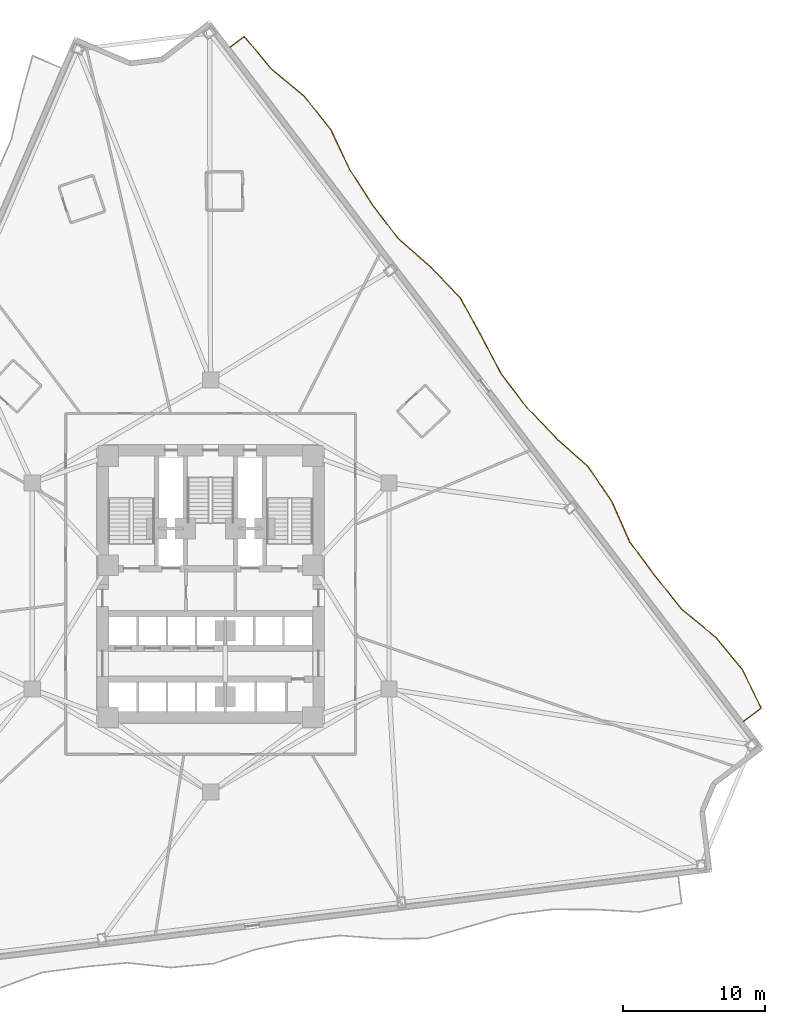
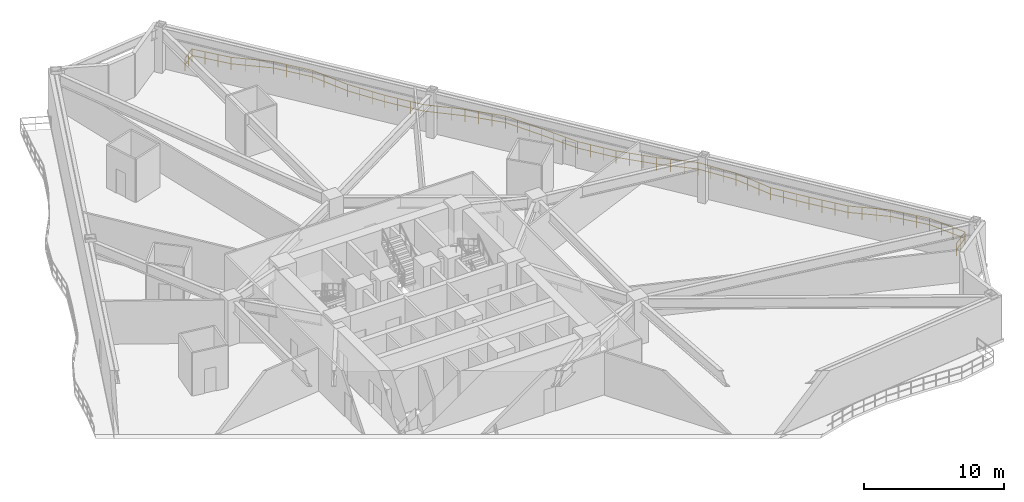
# One storey, part 12 of 12: 1 railing.
"""IFC4 building model written with IfcOpenShell, lengths in metres."""

from ifc_helpers import new_model, si_unit, direction, frame, origin, origin_2d, place, context, subcontext, project, spatial, rectangle, extrude, material, type_object, element, save


model = new_model("IFC4")

# Units and contexts
model_context = context("Model", 3, precision=1e-05, world=origin(), true_north=direction((0.0, 1.0)))
body_context = subcontext(model_context, "Body", "Model", "MODEL_VIEW")
ifc_project = project(units=[si_unit("LENGTHUNIT", "METRE"), si_unit("AREAUNIT", "SQUARE_METRE"), si_unit("VOLUMEUNIT", "CUBIC_METRE"), si_unit("PLANEANGLEUNIT", "RADIAN"), si_unit("MASSUNIT", "GRAM", prefix="KILO")], contexts=[model_context])

# Site, building, storey
site_placement = place(None, origin())
site = spatial("IfcSite", under=ifc_project, at=site_placement, CompositionType="ELEMENT")
building_placement = place(site_placement, origin())
building = spatial("IfcBuilding", under=site, at=building_placement, Name="Apsidion Concourse Tower", CompositionType="ELEMENT")
storey_placement = place(building_placement, frame((0.0, 0.0, 83.0)))
storey = spatial("IfcBuildingStorey", under=building, at=storey_placement, Name="L18", CompositionType="ELEMENT", Elevation=83.0)

# Railing
ifc_material = material(Name="Brushed stainless steel 316", Category="steel")
railing_type = type_object("IfcRailingType", Name="RL-BAL-1120", PredefinedType="BALUSTRADE", material=ifc_material)
railing_placement = place(storey_placement, frame((1.376708984375, 37.926513671875, 0.0)))
element("IfcRailing", 1, at=railing_placement, inside=storey, type_object=railing_type, Name="L18 Face 3 Rippling Balcony Balustrade", PredefinedType="BALUSTRADE", context=body_context, shape_type="SweptSolid", body=[
    extrude(rectangle(XDim=0.048095703125, YDim=0.048095703125, at=origin_2d()), frame((0.0, 0.0, 1.09619140625), z_axis=(0.795714098077, 0.605672414859, 0.0), x_axis=(-0.605672414859, 0.795714098077, 0.0)), (0.0, 0.0, 1.0), 1.25),
    extrude(rectangle(XDim=0.048095703125, YDim=0.048095703125, at=origin_2d()), frame((0.0, 0.0, 0.5361328125), z_axis=(0.795714098077, 0.605672414859, 0.0), x_axis=(-0.605672414859, 0.795714098077, 0.0)), (0.0, 0.0, 1.0), 1.25),
    extrude(rectangle(XDim=0.048095703125, YDim=0.048095703125, at=origin_2d()), frame((0.99462890625, 0.757080078125, 1.09619140625), z_axis=(0.639814323163, -0.768529525702, 0.0), x_axis=(0.768529525702, 0.639814323163, 0.0)), (0.0, 0.0, 1.0), 2.985595703125),
    extrude(rectangle(XDim=0.048095703125, YDim=0.048095703125, at=origin_2d()), frame((0.99462890625, 0.757080078125, 0.5361328125), z_axis=(0.639814323163, -0.768529525702, 0.0), x_axis=(0.768529525702, 0.639814323163, 0.0)), (0.0, 0.0, 1.0), 2.985595703125),
    extrude(rectangle(XDim=0.048095703125, YDim=0.048095703125, at=origin_2d()), frame((2.90478515625, -1.537353515625, 1.09619140625), z_axis=(0.767972723261, -0.640482549588, 0.0), x_axis=(0.640482549588, 0.767972723261, 0.0)), (0.0, 0.0, 1.0), 3.06005859375),
    extrude(rectangle(XDim=0.048095703125, YDim=0.048095703125, at=origin_2d()), frame((2.90478515625, -1.537353515625, 0.5361328125), z_axis=(0.767972723261, -0.640482549588, 0.0), x_axis=(0.640482549588, 0.767972723261, 0.0)), (0.0, 0.0, 1.0), 3.06005859375),
    extrude(rectangle(XDim=0.048095703125, YDim=0.048095703125, at=origin_2d()), frame((5.2548828125, -3.497314453125, 1.09619140625), z_axis=(0.62088528867, -0.783901434055, 0.0), x_axis=(0.783901434055, 0.62088528867, 0.0)), (0.0, 0.0, 1.0), 2.9833984375),
    extrude(rectangle(XDim=0.048095703125, YDim=0.048095703125, at=origin_2d()), frame((5.2548828125, -3.497314453125, 0.5361328125), z_axis=(0.62088528867, -0.783901434055, 0.0), x_axis=(0.783901434055, 0.62088528867, 0.0)), (0.0, 0.0, 1.0), 2.9833984375),
    extrude(rectangle(XDim=0.048095703125, YDim=0.048095703125, at=origin_2d()), frame((7.107177734375, -5.8359375, 1.09619140625), z_axis=(0.426089935374, -0.904680809442, 0.0), x_axis=(0.904680809442, 0.426089935374, 0.0)), (0.0, 0.0, 1.0), 3.050537109375),
    extrude(rectangle(XDim=0.048095703125, YDim=0.048095703125, at=origin_2d()), frame((7.107177734375, -5.8359375, 0.5361328125), z_axis=(0.426089935374, -0.904680809442, 0.0), x_axis=(0.904680809442, 0.426089935374, 0.0)), (0.0, 0.0, 1.0), 3.050537109375),
    extrude(rectangle(XDim=0.048095703125, YDim=0.048095703125, at=origin_2d()), frame((8.406982421875, -8.595703125, 1.09619140625), z_axis=(0.542855320236, -0.839826232795, 0.0), x_axis=(0.839826232795, 0.542855320236, 0.0)), (0.0, 0.0, 1.0), 2.99169921875),
    extrude(rectangle(XDim=0.048095703125, YDim=0.048095703125, at=origin_2d()), frame((8.406982421875, -8.595703125, 0.5361328125), z_axis=(0.542855320236, -0.839826232795, 0.0), x_axis=(0.839826232795, 0.542855320236, 0.0)), (0.0, 0.0, 1.0), 2.99169921875),
    extrude(rectangle(XDim=0.048095703125, YDim=0.048095703125, at=origin_2d()), frame((10.031005859375, -11.108154296875, 1.09619140625), z_axis=(0.605902647508, -0.795538799646, 0.0), x_axis=(0.795538799646, 0.605902647508, 0.0)), (0.0, 0.0, 1.0), 2.98291015625),
    extrude(rectangle(XDim=0.048095703125, YDim=0.048095703125, at=origin_2d()), frame((10.031005859375, -11.108154296875, 0.5361328125), z_axis=(0.605902647508, -0.795538799646, 0.0), x_axis=(0.795538799646, 0.605902647508, 0.0)), (0.0, 0.0, 1.0), 2.98291015625),
    extrude(rectangle(XDim=0.048095703125, YDim=0.048095703125, at=origin_2d()), frame((11.83837890625, -13.481201171875, 1.09619140625), z_axis=(0.750874261611, -0.660445185651, 0.0), x_axis=(0.660445185651, 0.750874261611, 0.0)), (0.0, 0.0, 1.0), 3.042724609375),
    extrude(rectangle(XDim=0.048095703125, YDim=0.048095703125, at=origin_2d()), frame((11.83837890625, -13.481201171875, 0.5361328125), z_axis=(0.750874261611, -0.660445185651, 0.0), x_axis=(0.660445185651, 0.750874261611, 0.0)), (0.0, 0.0, 1.0), 3.042724609375),
    extrude(rectangle(XDim=0.048095703125, YDim=0.048095703125, at=origin_2d()), frame((14.123046875, -15.49072265625, 1.09619140625), z_axis=(0.693855685944, -0.720114079214, 0.0), x_axis=(0.720114079214, 0.693855685944, 0.0)), (0.0, 0.0, 1.0), 3.003173828125),
    extrude(rectangle(XDim=0.048095703125, YDim=0.048095703125, at=origin_2d()), frame((14.123046875, -15.49072265625, 0.5361328125), z_axis=(0.693855685944, -0.720114079214, 0.0), x_axis=(0.720114079214, 0.693855685944, 0.0)), (0.0, 0.0, 1.0), 3.003173828125),
    extrude(rectangle(XDim=0.048095703125, YDim=0.048095703125, at=origin_2d()), frame((16.206787109375, -17.6533203125, 1.09619140625), z_axis=(0.482161126735, -0.876082557677, 0.0), x_axis=(0.876082557677, 0.482161126735, 0.0)), (0.0, 0.0, 1.0), 3.015869140625),
    extrude(rectangle(XDim=0.048095703125, YDim=0.048095703125, at=origin_2d()), frame((16.206787109375, -17.6533203125, 0.5361328125), z_axis=(0.482161126735, -0.876082557677, 0.0), x_axis=(0.876082557677, 0.482161126735, 0.0)), (0.0, 0.0, 1.0), 3.015869140625),
    extrude(rectangle(XDim=0.048095703125, YDim=0.048095703125, at=origin_2d()), frame((17.660888671875, -20.29541015625, 1.09619140625), z_axis=(0.464944613391, -0.885339768947, 0.0), x_axis=(0.885339768947, 0.464944613391, 0.0)), (0.0, 0.0, 1.0), 3.025146484375),
    extrude(rectangle(XDim=0.048095703125, YDim=0.048095703125, at=origin_2d()), frame((17.660888671875, -20.29541015625, 0.5361328125), z_axis=(0.464944613391, -0.885339768947, 0.0), x_axis=(0.885339768947, 0.464944613391, 0.0)), (0.0, 0.0, 1.0), 3.025146484375),
    extrude(rectangle(XDim=0.048095703125, YDim=0.048095703125, at=origin_2d()), frame((19.0673828125, -22.9736328125, 1.09619140625), z_axis=(0.605902647508, -0.795538799646, 0.0), x_axis=(0.795538799646, 0.605902647508, 0.0)), (0.0, 0.0, 1.0), 2.98291015625),
    extrude(rectangle(XDim=0.048095703125, YDim=0.048095703125, at=origin_2d()), frame((19.0673828125, -22.9736328125, 0.5361328125), z_axis=(0.605902647508, -0.795538799646, 0.0), x_axis=(0.795538799646, 0.605902647508, 0.0)), (0.0, 0.0, 1.0), 2.98291015625),
    extrude(rectangle(XDim=0.048095703125, YDim=0.048095703125, at=origin_2d()), frame((20.874755859375, -25.3466796875, 1.09619140625), z_axis=(0.690860605883, -0.722987982776, 0.0), x_axis=(0.722987982776, 0.690860605883, 0.0)), (0.0, 0.0, 1.0), 3.001708984375),
    extrude(rectangle(XDim=0.048095703125, YDim=0.048095703125, at=origin_2d()), frame((20.874755859375, -25.3466796875, 0.5361328125), z_axis=(0.690860605883, -0.722987982776, 0.0), x_axis=(0.722987982776, 0.690860605883, 0.0)), (0.0, 0.0, 1.0), 3.001708984375),
    extrude(rectangle(XDim=0.048095703125, YDim=0.048095703125, at=origin_2d()), frame((22.948486328125, -27.516845703125, 1.09619140625), z_axis=(0.745842120394, -0.666122760042, 0.0), x_axis=(0.666122760042, 0.745842120394, 0.0)), (0.0, 0.0, 1.0), 3.0380859375),
    extrude(rectangle(XDim=0.048095703125, YDim=0.048095703125, at=origin_2d()), frame((22.948486328125, -27.516845703125, 0.5361328125), z_axis=(0.745842120394, -0.666122760042, 0.0), x_axis=(0.666122760042, 0.745842120394, 0.0)), (0.0, 0.0, 1.0), 3.0380859375),
    extrude(rectangle(XDim=0.048095703125, YDim=0.048095703125, at=origin_2d()), frame((25.21435546875, -29.54052734375, 1.09619140625), z_axis=(0.559367602895, -0.82891970952, 0.0), x_axis=(0.82891970952, 0.559367602895, 0.0)), (0.0, 0.0, 1.0), 2.988037109375),
    extrude(rectangle(XDim=0.048095703125, YDim=0.048095703125, at=origin_2d()), frame((25.21435546875, -29.54052734375, 0.5361328125), z_axis=(0.559367602895, -0.82891970952, 0.0), x_axis=(0.82891970952, 0.559367602895, 0.0)), (0.0, 0.0, 1.0), 2.988037109375),
    extrude(rectangle(XDim=0.048095703125, YDim=0.048095703125, at=origin_2d()), frame((26.8857421875, -32.017333984375, 1.09619140625), z_axis=(0.405392114997, -0.914142895339, 0.0), x_axis=(0.914142895339, 0.405392114997, 0.0)), (0.0, 0.0, 1.0), 3.06591796875),
    extrude(rectangle(XDim=0.048095703125, YDim=0.048095703125, at=origin_2d()), frame((26.8857421875, -32.017333984375, 0.5361328125), z_axis=(0.405392114997, -0.914142895339, 0.0), x_axis=(0.914142895339, 0.405392114997, 0.0)), (0.0, 0.0, 1.0), 3.06591796875),
    extrude(rectangle(XDim=0.048095703125, YDim=0.048095703125, at=origin_2d()), frame((28.128662109375, -34.820068359375, 1.09619140625), z_axis=(0.597509181953, -0.801862068864, 0.0), x_axis=(0.801862068864, 0.597509181953, 0.0)), (0.0, 0.0, 1.0), 2.983154296875),
    extrude(rectangle(XDim=0.048095703125, YDim=0.048095703125, at=origin_2d()), frame((28.128662109375, -34.820068359375, 0.5361328125), z_axis=(0.597509181953, -0.801862068864, 0.0), x_axis=(0.801862068864, 0.597509181953, 0.0)), (0.0, 0.0, 1.0), 2.983154296875),
    extrude(rectangle(XDim=0.048095703125, YDim=0.048095703125, at=origin_2d()), frame((29.9111328125, -37.212158203125, 1.09619140625), z_axis=(0.622627210548, -0.7825185983, 0.0), x_axis=(0.7825185983, 0.622627210548, 0.0)), (0.0, 0.0, 1.0), 2.983642578125),
    extrude(rectangle(XDim=0.048095703125, YDim=0.048095703125, at=origin_2d()), frame((29.9111328125, -37.212158203125, 0.5361328125), z_axis=(0.622627210548, -0.7825185983, 0.0), x_axis=(0.7825185983, 0.622627210548, 0.0)), (0.0, 0.0, 1.0), 2.983642578125),
    extrude(rectangle(XDim=0.048095703125, YDim=0.048095703125, at=origin_2d()), frame((31.768798828125, -39.546875, 1.09619140625), z_axis=(0.77211187284, -0.635486629142, 0.0), x_axis=(0.635486629142, 0.77211187284, 0.0)), (0.0, 0.0, 1.0), 3.064697265625),
    extrude(rectangle(XDim=0.048095703125, YDim=0.048095703125, at=origin_2d()), frame((31.768798828125, -39.546875, 0.5361328125), z_axis=(0.77211187284, -0.635486629142, 0.0), x_axis=(0.635486629142, 0.77211187284, 0.0)), (0.0, 0.0, 1.0), 3.064697265625),
    extrude(rectangle(XDim=0.048095703125, YDim=0.048095703125, at=origin_2d()), frame((34.135009765625, -41.494384765625, 1.09619140625), z_axis=(0.64071505288, -0.767778757854, 0.0), x_axis=(0.767778757854, 0.64071505288, 0.0)), (0.0, 0.0, 1.0), 2.98583984375),
    extrude(rectangle(XDim=0.048095703125, YDim=0.048095703125, at=origin_2d()), frame((34.135009765625, -41.494384765625, 0.5361328125), z_axis=(0.64071505288, -0.767778757854, 0.0), x_axis=(0.767778757854, 0.64071505288, 0.0)), (0.0, 0.0, 1.0), 2.98583984375),
    extrude(rectangle(XDim=0.048095703125, YDim=0.048095703125, at=origin_2d()), frame((36.048095703125, -43.786865234375, 1.09619140625), z_axis=(0.437428889023, -0.899253005026, 0.0), x_axis=(0.899253005026, 0.437428889023, 0.0)), (0.0, 0.0, 1.0), 3.042236328125),
    extrude(rectangle(XDim=0.048095703125, YDim=0.048095703125, at=origin_2d()), frame((36.048095703125, -43.786865234375, 0.5361328125), z_axis=(0.437428889023, -0.899253005026, 0.0), x_axis=(0.899253005026, 0.437428889023, 0.0)), (0.0, 0.0, 1.0), 3.042236328125),
    extrude(rectangle(XDim=0.048095703125, YDim=0.048095703125, at=origin_2d()), frame((37.37890625, -46.522705078125, 1.09619140625), z_axis=(-0.795536558017, -0.605905590713, 0.0), x_axis=(0.605905590713, -0.795536558017, 0.0)), (0.0, 0.0, 1.0), 1.550048828125),
    extrude(rectangle(XDim=0.048095703125, YDim=0.048095703125, at=origin_2d()), frame((37.37890625, -46.522705078125, 0.5361328125), z_axis=(-0.795536558017, -0.605905590713, 0.0), x_axis=(0.605905590713, -0.795536558017, 0.0)), (0.0, 0.0, 1.0), 1.550048828125),
    extrude(rectangle(XDim=0.0419921875, YDim=0.0419921875, at=origin_2d()), origin(), (0.0, 0.0, 1.0), 1.072021484375),
    extrude(rectangle(XDim=0.0419921875, YDim=0.0419921875, at=origin_2d()), frame((0.497314453125, 0.37841796875, 0.0)), (0.0, 0.0, 1.0), 1.072021484375),
    extrude(rectangle(XDim=0.0419921875, YDim=0.0419921875, at=origin_2d()), frame((0.99462890625, 0.757080078125, 0.0)), (0.0, 0.0, 1.0), 1.072021484375),
    extrude(rectangle(XDim=0.0419921875, YDim=0.0419921875, at=origin_2d()), frame((1.63134765625, -0.0078125, 0.0)), (0.0, 0.0, 1.0), 1.072021484375),
    extrude(rectangle(XDim=0.0419921875, YDim=0.0419921875, at=origin_2d()), frame((2.26806640625, -0.7724609375, 0.0)), (0.0, 0.0, 1.0), 1.072021484375),
    extrude(rectangle(XDim=0.0419921875, YDim=0.0419921875, at=origin_2d()), frame((2.90478515625, -1.537353515625, 0.0)), (0.0, 0.0, 1.0), 1.072021484375),
    extrude(rectangle(XDim=0.0419921875, YDim=0.0419921875, at=origin_2d()), frame((3.688232421875, -2.190673828125, 0.0)), (0.0, 0.0, 1.0), 1.072021484375),
    extrude(rectangle(XDim=0.0419921875, YDim=0.0419921875, at=origin_2d()), frame((4.471435546875, -2.843994140625, 0.0)), (0.0, 0.0, 1.0), 1.072021484375),
    extrude(rectangle(XDim=0.0419921875, YDim=0.0419921875, at=origin_2d()), frame((5.2548828125, -3.497314453125, 0.0)), (0.0, 0.0, 1.0), 1.072021484375),
    extrude(rectangle(XDim=0.0419921875, YDim=0.0419921875, at=origin_2d()), frame((5.872314453125, -4.27685546875, 0.0)), (0.0, 0.0, 1.0), 1.072021484375),
    extrude(rectangle(XDim=0.0419921875, YDim=0.0419921875, at=origin_2d()), frame((6.48974609375, -5.056396484375, 0.0)), (0.0, 0.0, 1.0), 1.072021484375),
    extrude(rectangle(XDim=0.0419921875, YDim=0.0419921875, at=origin_2d()), frame((7.107177734375, -5.8359375, 0.0)), (0.0, 0.0, 1.0), 1.072021484375),
    extrude(rectangle(XDim=0.0419921875, YDim=0.0419921875, at=origin_2d()), frame((7.54052734375, -6.755859375, 0.0)), (0.0, 0.0, 1.0), 1.072021484375),
    extrude(rectangle(XDim=0.0419921875, YDim=0.0419921875, at=origin_2d()), frame((7.9736328125, -7.67578125, 0.0)), (0.0, 0.0, 1.0), 1.072021484375),
    extrude(rectangle(XDim=0.0419921875, YDim=0.0419921875, at=origin_2d()), frame((8.406982421875, -8.595703125, 0.0)), (0.0, 0.0, 1.0), 1.072021484375),
    extrude(rectangle(XDim=0.0419921875, YDim=0.0419921875, at=origin_2d()), frame((8.9482421875, -9.43310546875, 0.0)), (0.0, 0.0, 1.0), 1.072021484375),
    extrude(rectangle(XDim=0.0419921875, YDim=0.0419921875, at=origin_2d()), frame((9.48974609375, -10.270751953125, 0.0)), (0.0, 0.0, 1.0), 1.072021484375),
    extrude(rectangle(XDim=0.0419921875, YDim=0.0419921875, at=origin_2d()), frame((10.031005859375, -11.108154296875, 0.0)), (0.0, 0.0, 1.0), 1.072021484375),
    extrude(rectangle(XDim=0.0419921875, YDim=0.0419921875, at=origin_2d()), frame((10.633544921875, -11.899169921875, 0.0)), (0.0, 0.0, 1.0), 1.072021484375),
    extrude(rectangle(XDim=0.0419921875, YDim=0.0419921875, at=origin_2d()), frame((11.23583984375, -12.690185546875, 0.0)), (0.0, 0.0, 1.0), 1.072021484375),
    extrude(rectangle(XDim=0.0419921875, YDim=0.0419921875, at=origin_2d()), frame((11.83837890625, -13.481201171875, 0.0)), (0.0, 0.0, 1.0), 1.072021484375),
    extrude(rectangle(XDim=0.0419921875, YDim=0.0419921875, at=origin_2d()), frame((12.599853515625, -14.151123046875, 0.0)), (0.0, 0.0, 1.0), 1.072021484375),
    extrude(rectangle(XDim=0.0419921875, YDim=0.0419921875, at=origin_2d()), frame((13.361572265625, -14.82080078125, 0.0)), (0.0, 0.0, 1.0), 1.072021484375),
    extrude(rectangle(XDim=0.0419921875, YDim=0.0419921875, at=origin_2d()), frame((14.123046875, -15.49072265625, 0.0)), (0.0, 0.0, 1.0), 1.072021484375),
    extrude(rectangle(XDim=0.0419921875, YDim=0.0419921875, at=origin_2d()), frame((14.817626953125, -16.211669921875, 0.0)), (0.0, 0.0, 1.0), 1.072021484375),
    extrude(rectangle(XDim=0.0419921875, YDim=0.0419921875, at=origin_2d()), frame((15.51220703125, -16.932373046875, 0.0)), (0.0, 0.0, 1.0), 1.072021484375),
    extrude(rectangle(XDim=0.0419921875, YDim=0.0419921875, at=origin_2d()), frame((16.206787109375, -17.6533203125, 0.0)), (0.0, 0.0, 1.0), 1.072021484375),
    extrude(rectangle(XDim=0.0419921875, YDim=0.0419921875, at=origin_2d()), frame((16.69140625, -18.533935546875, 0.0)), (0.0, 0.0, 1.0), 1.072021484375),
    extrude(rectangle(XDim=0.0419921875, YDim=0.0419921875, at=origin_2d()), frame((17.17626953125, -19.414794921875, 0.0)), (0.0, 0.0, 1.0), 1.072021484375),
    extrude(rectangle(XDim=0.0419921875, YDim=0.0419921875, at=origin_2d()), frame((17.660888671875, -20.29541015625, 0.0)), (0.0, 0.0, 1.0), 1.072021484375),
    extrude(rectangle(XDim=0.0419921875, YDim=0.0419921875, at=origin_2d()), frame((18.129638671875, -21.188232421875, 0.0)), (0.0, 0.0, 1.0), 1.072021484375),
    extrude(rectangle(XDim=0.0419921875, YDim=0.0419921875, at=origin_2d()), frame((18.5986328125, -22.080810546875, 0.0)), (0.0, 0.0, 1.0), 1.072021484375),
    extrude(rectangle(XDim=0.0419921875, YDim=0.0419921875, at=origin_2d()), frame((19.0673828125, -22.9736328125, 0.0)), (0.0, 0.0, 1.0), 1.072021484375),
    extrude(rectangle(XDim=0.0419921875, YDim=0.0419921875, at=origin_2d()), frame((19.669921875, -23.7646484375, 0.0)), (0.0, 0.0, 1.0), 1.072021484375),
    extrude(rectangle(XDim=0.0419921875, YDim=0.0419921875, at=origin_2d()), frame((20.272216796875, -24.5556640625, 0.0)), (0.0, 0.0, 1.0), 1.072021484375),
    extrude(rectangle(XDim=0.0419921875, YDim=0.0419921875, at=origin_2d()), frame((20.874755859375, -25.3466796875, 0.0)), (0.0, 0.0, 1.0), 1.072021484375),
    extrude(rectangle(XDim=0.0419921875, YDim=0.0419921875, at=origin_2d()), frame((21.56591796875, -26.070068359375, 0.0)), (0.0, 0.0, 1.0), 1.072021484375),
    extrude(rectangle(XDim=0.0419921875, YDim=0.0419921875, at=origin_2d()), frame((22.25732421875, -26.79345703125, 0.0)), (0.0, 0.0, 1.0), 1.072021484375),
    extrude(rectangle(XDim=0.0419921875, YDim=0.0419921875, at=origin_2d()), frame((22.948486328125, -27.516845703125, 0.0)), (0.0, 0.0, 1.0), 1.072021484375),
    extrude(rectangle(XDim=0.0419921875, YDim=0.0419921875, at=origin_2d()), frame((23.703857421875, -28.19140625, 0.0)), (0.0, 0.0, 1.0), 1.072021484375),
    extrude(rectangle(XDim=0.0419921875, YDim=0.0419921875, at=origin_2d()), frame((24.458984375, -28.865966796875, 0.0)), (0.0, 0.0, 1.0), 1.072021484375),
    extrude(rectangle(XDim=0.0419921875, YDim=0.0419921875, at=origin_2d()), frame((25.21435546875, -29.54052734375, 0.0)), (0.0, 0.0, 1.0), 1.072021484375),
    extrude(rectangle(XDim=0.0419921875, YDim=0.0419921875, at=origin_2d()), frame((25.771484375, -30.3662109375, 0.0)), (0.0, 0.0, 1.0), 1.072021484375),
    extrude(rectangle(XDim=0.0419921875, YDim=0.0419921875, at=origin_2d()), frame((26.32861328125, -31.191650390625, 0.0)), (0.0, 0.0, 1.0), 1.072021484375),
    extrude(rectangle(XDim=0.0419921875, YDim=0.0419921875, at=origin_2d()), frame((26.8857421875, -32.017333984375, 0.0)), (0.0, 0.0, 1.0), 1.072021484375),
    extrude(rectangle(XDim=0.0419921875, YDim=0.0419921875, at=origin_2d()), frame((27.300048828125, -32.95166015625, 0.0)), (0.0, 0.0, 1.0), 1.072021484375),
    extrude(rectangle(XDim=0.0419921875, YDim=0.0419921875, at=origin_2d()), frame((27.71435546875, -33.8857421875, 0.0)), (0.0, 0.0, 1.0), 1.072021484375),
    extrude(rectangle(XDim=0.0419921875, YDim=0.0419921875, at=origin_2d()), frame((28.128662109375, -34.820068359375, 0.0)), (0.0, 0.0, 1.0), 1.072021484375),
    extrude(rectangle(XDim=0.0419921875, YDim=0.0419921875, at=origin_2d()), frame((28.722900390625, -35.617431640625, 0.0)), (0.0, 0.0, 1.0), 1.072021484375),
    extrude(rectangle(XDim=0.0419921875, YDim=0.0419921875, at=origin_2d()), frame((29.31689453125, -36.414794921875, 0.0)), (0.0, 0.0, 1.0), 1.072021484375),
    extrude(rectangle(XDim=0.0419921875, YDim=0.0419921875, at=origin_2d()), frame((29.9111328125, -37.212158203125, 0.0)), (0.0, 0.0, 1.0), 1.072021484375),
    extrude(rectangle(XDim=0.0419921875, YDim=0.0419921875, at=origin_2d()), frame((30.5302734375, -37.990478515625, 0.0)), (0.0, 0.0, 1.0), 1.072021484375),
    extrude(rectangle(XDim=0.0419921875, YDim=0.0419921875, at=origin_2d()), frame((31.149658203125, -38.7685546875, 0.0)), (0.0, 0.0, 1.0), 1.072021484375),
    extrude(rectangle(XDim=0.0419921875, YDim=0.0419921875, at=origin_2d()), frame((31.768798828125, -39.546875, 0.0)), (0.0, 0.0, 1.0), 1.072021484375),
    extrude(rectangle(XDim=0.0419921875, YDim=0.0419921875, at=origin_2d()), frame((32.5576171875, -40.196044921875, 0.0)), (0.0, 0.0, 1.0), 1.072021484375),
    extrude(rectangle(XDim=0.0419921875, YDim=0.0419921875, at=origin_2d()), frame((33.34619140625, -40.84521484375, 0.0)), (0.0, 0.0, 1.0), 1.072021484375),
    extrude(rectangle(XDim=0.0419921875, YDim=0.0419921875, at=origin_2d()), frame((34.135009765625, -41.494384765625, 0.0)), (0.0, 0.0, 1.0), 1.072021484375),
    extrude(rectangle(XDim=0.0419921875, YDim=0.0419921875, at=origin_2d()), frame((34.772705078125, -42.258544921875, 0.0)), (0.0, 0.0, 1.0), 1.072021484375),
    extrude(rectangle(XDim=0.0419921875, YDim=0.0419921875, at=origin_2d()), frame((35.410400390625, -43.022705078125, 0.0)), (0.0, 0.0, 1.0), 1.072021484375),
    extrude(rectangle(XDim=0.0419921875, YDim=0.0419921875, at=origin_2d()), frame((36.048095703125, -43.786865234375, 0.0)), (0.0, 0.0, 1.0), 1.072021484375),
    extrude(rectangle(XDim=0.0419921875, YDim=0.0419921875, at=origin_2d()), frame((36.49169921875, -44.69873046875, 0.0)), (0.0, 0.0, 1.0), 1.072021484375),
    extrude(rectangle(XDim=0.0419921875, YDim=0.0419921875, at=origin_2d()), frame((36.935302734375, -45.61083984375, 0.0)), (0.0, 0.0, 1.0), 1.072021484375),
    extrude(rectangle(XDim=0.0419921875, YDim=0.0419921875, at=origin_2d()), frame((37.37890625, -46.522705078125, 0.0)), (0.0, 0.0, 1.0), 1.072021484375),
    extrude(rectangle(XDim=0.0419921875, YDim=0.0419921875, at=origin_2d()), frame((36.76220703125, -46.9921875, 0.0)), (0.0, 0.0, 1.0), 1.072021484375),
    extrude(rectangle(XDim=0.0419921875, YDim=0.0419921875, at=origin_2d()), frame((36.145751953125, -47.4619140625, 0.0)), (0.0, 0.0, 1.0), 1.072021484375),
])

save(model, "model.ifc")
